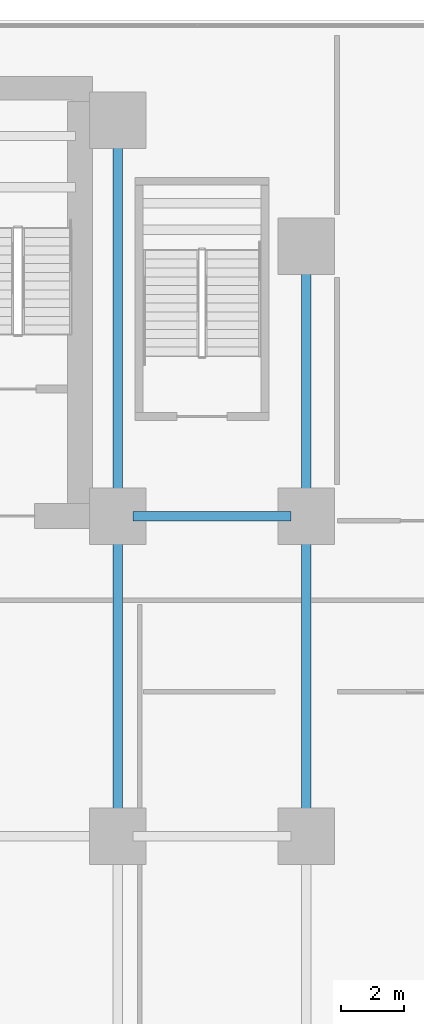
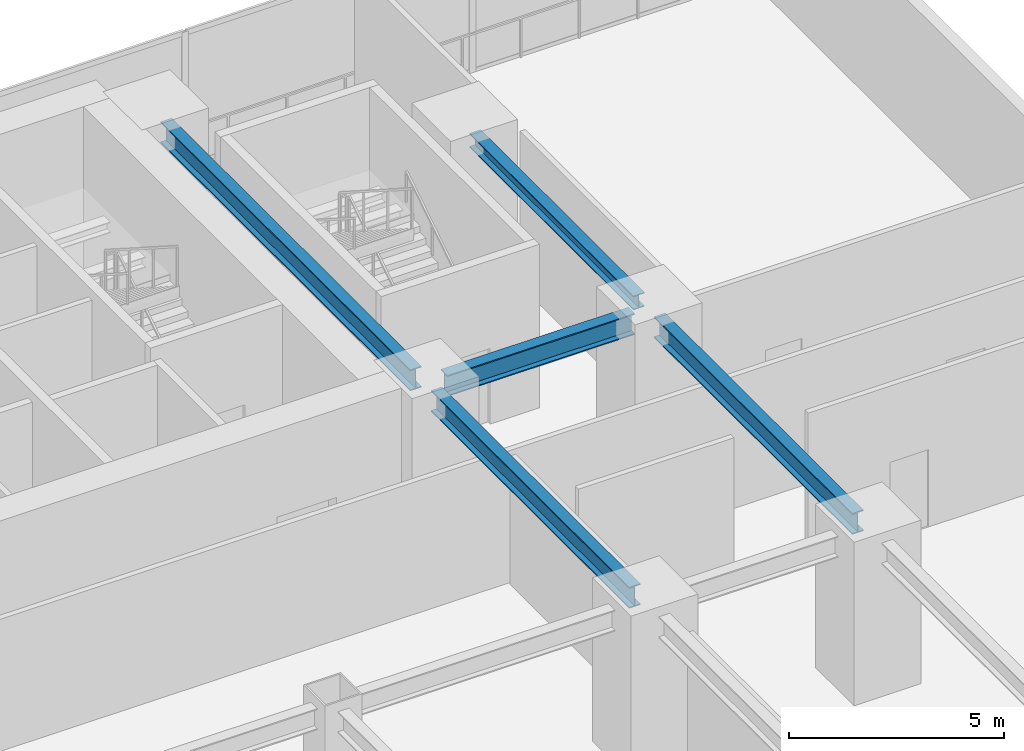
# One storey, part 4 of 17: 5 beams.
"""IFC4 building model written with IfcOpenShell, lengths in metres."""

from ifc_helpers import new_model, si_unit, direction, frame, origin, origin_2d, place, context, subcontext, project, spatial, i_section, extrude, source, transform, mapped, material, material_profile, profile_set, type_object, element, save


model = new_model("IFC4")

# Units and contexts
model_context = context("Model", 3, precision=1e-05, world=origin(), true_north=direction((0.0, 1.0)))
body_context = subcontext(model_context, "Body", "Model", "MODEL_VIEW")
ifc_project = project(units=[si_unit("LENGTHUNIT", "METRE"), si_unit("AREAUNIT", "SQUARE_METRE"), si_unit("VOLUMEUNIT", "CUBIC_METRE"), si_unit("PLANEANGLEUNIT", "RADIAN"), si_unit("MASSUNIT", "GRAM", prefix="KILO")], contexts=[model_context])

# Site, building, storey
site_placement = place(None, origin())
site = spatial("IfcSite", under=ifc_project, at=site_placement, CompositionType="ELEMENT")
building_placement = place(site_placement, origin())
building = spatial("IfcBuilding", under=site, at=building_placement, Name="Sumidabori Civic Tower", CompositionType="ELEMENT")
storey_placement = place(building_placement, frame((0.0, 0.0, 9.64990234375)))
storey = spatial("IfcBuildingStorey", under=building, at=storey_placement, Name="L02", CompositionType="ELEMENT", Elevation=9.64990234375)

# Beams
ifc_material = material(Name="Steel SN490", Category="steel")
ifc_material_profile_1 = material_profile(ifc_material, i_section(OverallWidth=0.300048828125, OverallDepth=0.60009765625, WebThickness=0.015380859375, FlangeThickness=0.030029296875, at=origin_2d()), Name="HE 600 B")
ifc_profile_set_1 = profile_set([ifc_material_profile_1], Name="Steel SN490")
beam_type_1 = type_object("IfcBeamType", Name="BM-GIRD-600", PredefinedType="BEAM", material=ifc_profile_set_1)
shared_shape_1 = source(origin(), body_context, "Body", "SweptSolid", [
    extrude(i_section(OverallWidth=0.300048828125, OverallDepth=0.60009765625, WebThickness=0.015380859375, FlangeThickness=0.030029296875, at=origin_2d()), origin(), (0.0, 0.0, 1.0), 5.0400390625),
])
beam_1_placement = place(storey_placement, frame((17.280029296875, 10.199951171875, 4.070068359375), z_axis=(1.0, 0.0, 0.0), x_axis=(0.0, 1.0, 0.0)))
element("IfcBeam", 1, at=beam_1_placement, inside=storey, type_object=beam_type_1, Name="Primary Girder L02 GX-22", PredefinedType="BEAM", context=body_context, shape_type="MappedRepresentation", body=[
    mapped(shared_shape_1, transform((0.0, 0.0, 0.0), x_axis=(1.0, 0.0, 0.0), y_axis=(0.0, 1.0, 0.0), z_axis=(0.0, 0.0, 1.0), scale=1.0)),
])
shared_shape_2 = source(origin(), body_context, "Body", "SweptSolid", [
    extrude(i_section(OverallWidth=0.300048828125, OverallDepth=0.60009765625, WebThickness=0.015380859375, FlangeThickness=0.030029296875, at=origin_2d()), origin(), (0.0, 0.0, 1.0), 9.239990234375),
])
for number, where, z_axis, x_axis, name in (
    (2, (16.800048828125, 0.47998046875, 4.070068359375), (0.0, 1.0, 0.0), (-1.0, 0.0, 0.0), "Primary Girder L02 GY-40"),
    (3, (22.800048828125, 0.47998046875, 4.070068359375), (0.0, 1.0, 0.0), (-1.0, 0.0, 0.0), "Primary Girder L02 GY-44"),
):
    element("IfcBeam", number, at=place(storey_placement, frame(where, z_axis=z_axis, x_axis=x_axis)), inside=storey, type_object=beam_type_1, Name=name, PredefinedType="BEAM", context=body_context, shape_type="MappedRepresentation", body=[
        mapped(shared_shape_2, transform((0.0, 0.0, 0.0), x_axis=(1.0, 0.0, 0.0), y_axis=(0.0, 1.0, 0.0), z_axis=(0.0, 0.0, 1.0), scale=1.0)),
    ])
ifc_material_profile_2 = material_profile(ifc_material, i_section(OverallWidth=0.300048828125, OverallDepth=0.39990234375, WebThickness=0.013427734375, FlangeThickness=0.02392578125, at=origin_2d()), Name="HE 400 B")
ifc_profile_set_2 = profile_set([ifc_material_profile_2], Name="Steel SN490")
beam_type_2 = type_object("IfcBeamType", Name="BM-GIRD-400", PredefinedType="BEAM", material=ifc_profile_set_2)
shared_shape_3 = source(origin(), body_context, "Body", "SweptSolid", [
    extrude(i_section(OverallWidth=0.300048828125, OverallDepth=0.39990234375, WebThickness=0.013427734375, FlangeThickness=0.02392578125, at=origin_2d()), origin(), (0.0, 0.0, 1.0), 7.64013671875),
])
beam_2_placement = place(storey_placement, frame((22.800048828125, 10.679931640625, 4.170166015625), z_axis=(0.0, 1.0, 0.0), x_axis=(-1.0, 0.0, 0.0)))
element("IfcBeam", 4, at=beam_2_placement, inside=storey, type_object=beam_type_2, Name="Primary Girder L02 GY-45", PredefinedType="BEAM", context=body_context, shape_type="MappedRepresentation", body=[
    mapped(shared_shape_3, transform((0.0, 0.0, 0.0), x_axis=(1.0, 0.0, 0.0), y_axis=(0.0, 1.0, 0.0), z_axis=(0.0, 0.0, 1.0), scale=1.0)),
])
shared_shape_4 = source(origin(), body_context, "Body", "SweptSolid", [
    extrude(i_section(OverallWidth=0.300048828125, OverallDepth=0.60009765625, WebThickness=0.015380859375, FlangeThickness=0.030029296875, at=origin_2d()), origin(), (0.0, 0.0, 1.0), 11.64013671875),
])
beam_3_placement = place(storey_placement, frame((16.800048828125, 10.679931640625, 4.070068359375), z_axis=(0.0, 1.0, 0.0), x_axis=(-1.0, 0.0, 0.0)))
element("IfcBeam", 5, at=beam_3_placement, inside=storey, type_object=beam_type_1, Name="Primary Girder L02 GY-41", PredefinedType="BEAM", context=body_context, shape_type="MappedRepresentation", body=[
    mapped(shared_shape_4, transform((0.0, 0.0, 0.0), x_axis=(1.0, 0.0, 0.0), y_axis=(0.0, 1.0, 0.0), z_axis=(0.0, 0.0, 1.0), scale=1.0)),
])

save(model, "model.ifc")
